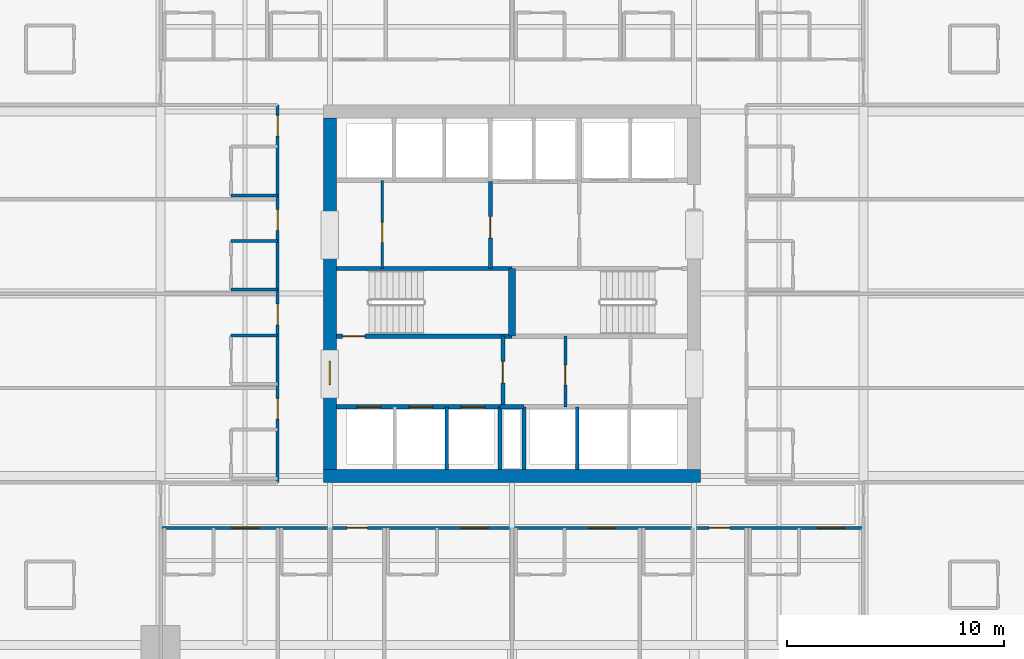
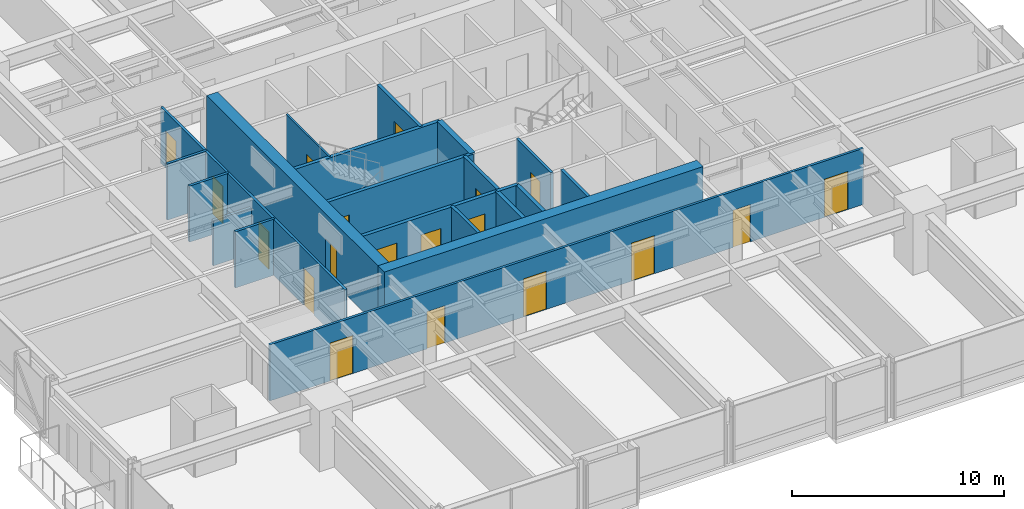
# One storey, part 31 of 39: 21 walls, 19 doors, 19 openings.
"""IFC4 building model written with IfcOpenShell, lengths in metres."""

from ifc_helpers import new_model, si_unit, direction, frame, frame_2d, origin, place, context, subcontext, project, spatial, rectangle, extrude, material, layer, layer_set, type_object, element, fill, save


model = new_model("IFC4")

# Units and contexts
model_context = context("Model", 3, precision=1e-05, world=origin(), true_north=direction((0.0, 1.0)))
body_context = subcontext(model_context, "Body", "Model", "MODEL_VIEW")
ifc_project = project(units=[si_unit("LENGTHUNIT", "METRE"), si_unit("AREAUNIT", "SQUARE_METRE"), si_unit("VOLUMEUNIT", "CUBIC_METRE"), si_unit("PLANEANGLEUNIT", "RADIAN"), si_unit("MASSUNIT", "GRAM", prefix="KILO")], contexts=[model_context])

# Site, building, storey
site_placement = place(None, origin())
site = spatial("IfcSite", under=ifc_project, at=site_placement, CompositionType="ELEMENT")
building_placement = place(site_placement, origin())
building = spatial("IfcBuilding", under=site, at=building_placement, Name="Drelvath Grand Hotel", CompositionType="ELEMENT")
storey_placement = place(building_placement, frame((0.0, 0.0, 40.199951171875)))
storey = spatial("IfcBuildingStorey", under=building, at=storey_placement, Name="L08", CompositionType="ELEMENT", Elevation=40.199951171875)

# Wall, opening, door
ifc_material_1 = material(Name="Gypsum Partition Board")
ifc_layer_1 = layer(ifc_material_1, 0.10009765625)
ifc_layer_set_1 = layer_set([ifc_layer_1], Name="Gypsum Partition Board")
wall_type_1 = type_object("IfcWallType", Name="Core Closet Partition 100", PredefinedType="PARTITIONING", material=ifc_layer_set_1)
wall_1_placement = place(storey_placement, frame((-5.97998046875, 28.159912109375, 0.0), z_axis=(0.0, 0.0, 1.0), x_axis=(0.0, 1.0, 0.0)))
wall_1 = element("IfcWall", 1, at=wall_1_placement, inside=storey, type_object=wall_type_1, Name="L08 Core Closet Divider 2", PredefinedType="PARTITIONING", context=body_context, shape_type="SweptSolid", body=[
    extrude(rectangle(XDim=4.06005859375, YDim=0.10009765625, at=frame_2d((2.030029296875, 0.0))), origin(), (0.0, 0.0, 1.0), 3.239990234375),
])
opening_1_placement = place(wall_1_placement, frame((1.199951171875, 0.0, 0.0)))
opening_1 = element("IfcOpeningElement", 2, at=opening_1_placement, cuts=wall_1, Name="Opening D-T1G1-010", PredefinedType="OPENING", context=body_context, shape_type="SweptSolid", body=[
    extrude(rectangle(XDim=0.919921875, YDim=2.10009765625, at=frame_2d((0.4599609375, 1.050048828125))), frame((0.0, 0.06005859375, 0.0), z_axis=(0.0, -1.0, 0.0), x_axis=(1.0, 0.0, 0.0)), (0.0, 0.0, 1.0), 0.1201171875),
])
ifc_material_2 = material(Name="Painted Steel S275", Category="steel")
door_type_1 = type_object("IfcDoorType", Name="Staff Utility Door 920x2100", OperationType="NOTDEFINED", PredefinedType="DOOR", material=ifc_material_2)
door_1_placement = place(opening_1_placement, origin())
door_1 = element("IfcDoor", 3, at=door_1_placement, inside=storey, type_object=door_type_1, Name="L08 Low-Voltage Closet Door", OperationType="SINGLE_SWING_RIGHT", OverallHeight=2.10009765625, OverallWidth=0.919921875, PredefinedType="DOOR", context=body_context, shape_type="SweptSolid", body=[
    extrude(rectangle(XDim=0.919921875, YDim=2.10009765625, at=frame_2d((0.4599609375, 1.050048828125))), frame((0.0, 0.02490234375, 0.0), z_axis=(0.0, -1.0, 0.0), x_axis=(1.0, 0.0, 0.0)), (0.0, 0.0, 1.0), 0.050048828125),
])
fill(opening_1, door_1)

# Wall, openings, doors
ifc_material_3 = material(Name="Concrete C40/50", Category="concrete")
ifc_layer_2 = layer(ifc_material_3, 0.199951171875)
ifc_layer_set_2 = layer_set([ifc_layer_2], Name="Concrete C40/50")
wall_type_2 = type_object("IfcWallType", Name="Core Hoistway Fire Wall 200", PredefinedType="SOLIDWALL", material=ifc_layer_set_2)
wall_2_placement = place(storey_placement, frame((-0.550048828125, 21.780029296875, 0.0), z_axis=(0.0, 0.0, 1.0), x_axis=(-1.0, 0.0, 0.0)))
wall_2 = element("IfcWall", 4, at=wall_2_placement, inside=storey, type_object=wall_type_2, Name="L08 Bank 1 Hoistway Wall", PredefinedType="SOLIDWALL", context=body_context, shape_type="SweptSolid", body=[
    extrude(rectangle(XDim=7.550048828125, YDim=0.199951171875, at=frame_2d((3.77490234375, 0.0))), origin(), (0.0, 0.0, 1.0), 3.239990234375),
])
opening_2_placement = place(wall_2_placement, frame((5.5, 0.0, 0.0)))
opening_2 = element("IfcOpeningElement", 5, at=opening_2_placement, cuts=wall_2, Name="Opening LD-PE-1", PredefinedType="OPENING", context=body_context, shape_type="SweptSolid", body=[
    extrude(rectangle(XDim=1.10009765625, YDim=2.199951171875, at=frame_2d((0.550048828125, 1.10009765625))), frame((0.0, 0.10986328125, 0.0), z_axis=(0.0, -1.0, 0.0), x_axis=(1.0, 0.0, 0.0)), (0.0, 0.0, 1.0), 0.219970703125),
])
opening_3_placement = place(wall_2_placement, frame((3.10009765625, 0.0, 0.0)))
opening_3 = element("IfcOpeningElement", 6, at=opening_3_placement, cuts=wall_2, Name="Opening LD-PE-2", PredefinedType="OPENING", context=body_context, shape_type="SweptSolid", body=[
    extrude(rectangle(XDim=1.10009765625, YDim=2.199951171875, at=frame_2d((0.550048828125, 1.10009765625))), frame((0.0, 0.10986328125, 0.0), z_axis=(0.0, -1.0, 0.0), x_axis=(1.0, 0.0, 0.0)), (0.0, 0.0, 1.0), 0.219970703125),
])
opening_4_placement = place(wall_2_placement, frame((0.699951171875, 0.0, 0.0)))
opening_4 = element("IfcOpeningElement", 7, at=opening_4_placement, cuts=wall_2, Name="Opening LD-PE-3", PredefinedType="OPENING", context=body_context, shape_type="SweptSolid", body=[
    extrude(rectangle(XDim=1.10009765625, YDim=2.199951171875, at=frame_2d((0.550048828125, 1.10009765625))), frame((0.0, 0.10986328125, 0.0), z_axis=(0.0, -1.0, 0.0), x_axis=(1.0, 0.0, 0.0)), (0.0, 0.0, 1.0), 0.219970703125),
])
ifc_material_4 = material(Name="Stainless Steel S355", Category="steel")
door_type_2 = type_object("IfcDoorType", Name="Passenger Lift Sliding Landing Door 1100x2200", OperationType="NOTDEFINED", PredefinedType="DOOR", material=ifc_material_4)
door_2_placement = place(opening_2_placement, origin())
door_2 = element("IfcDoor", 8, at=door_2_placement, inside=storey, type_object=door_type_2, Name="L08 Lift PE-1 Landing Door", OperationType="SLIDING_TO_LEFT", OverallHeight=2.199951171875, OverallWidth=1.10009765625, PredefinedType="DOOR", context=body_context, shape_type="SweptSolid", body=[
    extrude(rectangle(XDim=1.10009765625, YDim=2.199951171875, at=frame_2d((0.550048828125, 1.10009765625))), frame((0.0, 0.02490234375, 0.0), z_axis=(0.0, -1.0, 0.0), x_axis=(1.0, 0.0, 0.0)), (0.0, 0.0, 1.0), 0.050048828125),
])
fill(opening_2, door_2)
door_3_placement = place(opening_3_placement, origin())
door_3 = element("IfcDoor", 9, at=door_3_placement, inside=storey, type_object=door_type_2, Name="L08 Lift PE-2 Landing Door", OperationType="SLIDING_TO_LEFT", OverallHeight=2.199951171875, OverallWidth=1.10009765625, PredefinedType="DOOR", context=body_context, shape_type="SweptSolid", body=[
    extrude(rectangle(XDim=1.10009765625, YDim=2.199951171875, at=frame_2d((0.550048828125, 1.10009765625))), frame((0.0, 0.02490234375, 0.0), z_axis=(0.0, -1.0, 0.0), x_axis=(1.0, 0.0, 0.0)), (0.0, 0.0, 1.0), 0.050048828125),
])
fill(opening_3, door_3)
door_4_placement = place(opening_4_placement, origin())
door_4 = element("IfcDoor", 10, at=door_4_placement, inside=storey, type_object=door_type_2, Name="L08 Lift PE-3 Landing Door", OperationType="SLIDING_TO_LEFT", OverallHeight=2.199951171875, OverallWidth=1.10009765625, PredefinedType="DOOR", context=body_context, shape_type="SweptSolid", body=[
    extrude(rectangle(XDim=1.10009765625, YDim=2.199951171875, at=frame_2d((0.550048828125, 1.10009765625))), frame((0.0, 0.02490234375, 0.0), z_axis=(0.0, -1.0, 0.0), x_axis=(1.0, 0.0, 0.0)), (0.0, 0.0, 1.0), 0.050048828125),
])
fill(opening_4, door_4)

# Walls
for number, where, z_axis, x_axis, name in (
    (11, (-0.550048828125, 18.89990234375, 0.0), (0.0, 0.0, 1.0), (0.0, 1.0, 0.0), "L08 Bank 1 East Wall"),
    (12, (0.550048828125, 18.89990234375, 0.0), (0.0, 0.0, 1.0), (0.0, 1.0, 0.0), "L08 Bank 2 West Wall"),
):
    element("IfcWall", number, at=place(storey_placement, frame(where, z_axis=z_axis, x_axis=x_axis)), inside=storey, type_object=wall_type_2, Name=name, PredefinedType="SOLIDWALL", context=body_context, shape_type="SweptSolid", body=[
        extrude(rectangle(XDim=2.880126953125, YDim=0.199951171875, at=frame_2d((1.43994140625, 0.0))), origin(), (0.0, 0.0, 1.0), 3.239990234375),
    ])
wall_3_placement = place(storey_placement, frame((-0.550048828125, 21.780029296875, 0.0), z_axis=(0.0, 0.0, 1.0), x_axis=(1.0, 0.0, 0.0)))
element("IfcWall", 13, at=wall_3_placement, inside=storey, type_object=wall_type_2, Name="L08 Core Riser Wall", PredefinedType="SOLIDWALL", context=body_context, shape_type="SweptSolid", body=[
    extrude(rectangle(XDim=1.10009765625, YDim=0.199951171875, at=frame_2d((0.550048828125, 0.0))), origin(), (0.0, 0.0, 1.0), 3.239990234375),
])

# Wall, opening, door
ifc_layer_3 = layer(ifc_material_3, 0.199951171875)
ifc_layer_set_3 = layer_set([ifc_layer_3], Name="Concrete C40/50")
wall_type_3 = type_object("IfcWallType", Name="Core Shaft Fire Wall 200", PredefinedType="SOLIDWALL", material=ifc_layer_set_3)
wall_4_placement = place(storey_placement, frame((-8.10009765625, 25.0400390625, 0.0), z_axis=(0.0, 0.0, 1.0), x_axis=(1.0, 0.0, 0.0)))
wall_4 = element("IfcWall", 14, at=wall_4_placement, inside=storey, type_object=wall_type_3, Name="L08 Stair ST-1 South Wall", PredefinedType="SOLIDWALL", context=body_context, shape_type="SweptSolid", body=[
    extrude(rectangle(XDim=8.10009765625, YDim=0.199951171875, at=frame_2d((4.050048828125, 0.0))), origin(), (0.0, 0.0, 1.0), 3.239990234375),
])
opening_5_placement = place(wall_4_placement, frame((0.280029296875, 0.0, 0.0)))
opening_5 = element("IfcOpeningElement", 15, at=opening_5_placement, cuts=wall_4, Name="Opening D-T1G1-001", PredefinedType="OPENING", context=body_context, shape_type="SweptSolid", body=[
    extrude(rectangle(XDim=1.050048828125, YDim=2.10009765625, at=frame_2d((0.52490234375, 1.050048828125))), frame((0.0, 0.10986328125, 0.0), z_axis=(0.0, -1.0, 0.0), x_axis=(1.0, 0.0, 0.0)), (0.0, 0.0, 1.0), 0.219970703125),
])
door_type_3 = type_object("IfcDoorType", Name="Tower Stairwell Fire Door 1050x2100", OperationType="NOTDEFINED", PredefinedType="DOOR", material=ifc_material_2)
door_5_placement = place(opening_5_placement, origin())
door_5 = element("IfcDoor", 16, at=door_5_placement, inside=storey, type_object=door_type_3, Name="L08 Exit Stair ST-1 Door", OperationType="SINGLE_SWING_LEFT", OverallHeight=2.10009765625, OverallWidth=1.050048828125, PredefinedType="DOOR", context=body_context, shape_type="SweptSolid", body=[
    extrude(rectangle(XDim=1.050048828125, YDim=2.10009765625, at=frame_2d((0.52490234375, 1.050048828125))), frame((0.0, 0.02490234375, 0.0), z_axis=(0.0, -1.0, 0.0), x_axis=(1.0, 0.0, 0.0)), (0.0, 0.0, 1.0), 0.050048828125),
])
fill(opening_5, door_5)

# Walls
wall_5_placement = place(storey_placement, frame((-8.10009765625, 28.159912109375, 0.0), z_axis=(0.0, 0.0, 1.0), x_axis=(1.0, 0.0, 0.0)))
element("IfcWall", 17, at=wall_5_placement, inside=storey, type_object=wall_type_3, Name="L08 Stair ST-1 North Wall", PredefinedType="SOLIDWALL", context=body_context, shape_type="SweptSolid", body=[
    extrude(rectangle(XDim=8.10009765625, YDim=0.199951171875, at=frame_2d((4.050048828125, 0.0))), origin(), (0.0, 0.0, 1.0), 3.239990234375),
])
ifc_layer_4 = layer(ifc_material_3, 0.300048828125)
ifc_layer_set_4 = layer_set([ifc_layer_4], Name="Concrete C40/50")
wall_type_4 = type_object("IfcWallType", Name="Core Shaft Fire Wall 300", PredefinedType="SOLIDWALL", material=ifc_layer_set_4)
wall_6_placement = place(storey_placement, frame((0.0, 25.0400390625, 0.0), z_axis=(0.0, 0.0, 1.0), x_axis=(0.0, 1.0, 0.0)))
element("IfcWall", 18, at=wall_6_placement, inside=storey, type_object=wall_type_4, Name="L08 Core Stair Divider Wall", PredefinedType="SOLIDWALL", context=body_context, shape_type="SweptSolid", body=[
    extrude(rectangle(XDim=3.119873046875, YDim=0.300048828125, at=frame_2d((1.56005859375, 0.0))), origin(), (0.0, 0.0, 1.0), 3.239990234375),
])
ifc_material_5 = material(Name="Gypsum Fireboard Partition")
ifc_layer_5 = layer(ifc_material_5, 0.1650390625)
ifc_layer_set_5 = layer_set([ifc_layer_5], Name="Gypsum Fireboard Partition")
wall_type_5 = type_object("IfcWallType", Name="Core Shaft Partition 165", PredefinedType="PARTITIONING", material=ifc_layer_set_5)
for number, where, z_axis, x_axis, name in (
    (19, (-3.0, 18.89990234375, 0.0), (0.0, 0.0, 1.0), (0.0, 1.0, 0.0), "L08 Lift PE-2/3 Divider"),
    (20, (3.0, 18.89990234375, 0.0), (0.0, 0.0, 1.0), (0.0, 1.0, 0.0), "L08 Lift PE-4/5 Divider"),
):
    element("IfcWall", number, at=place(storey_placement, frame(where, z_axis=z_axis, x_axis=x_axis)), inside=storey, type_object=wall_type_5, Name=name, PredefinedType="PARTITIONING", context=body_context, shape_type="SweptSolid", body=[
        extrude(rectangle(XDim=2.880126953125, YDim=0.1650390625, at=frame_2d((1.43994140625, 0.0))), origin(), (0.0, 0.0, 1.0), 3.239990234375),
    ])

# Wall, openings, doors
ifc_layer_6 = layer(ifc_material_5, 0.135009765625)
ifc_layer_set_6 = layer_set([ifc_layer_6], Name="Gypsum Fireboard Partition")
wall_type_6 = type_object("IfcWallType", Name="Corridor Fire Barrier Wall 135", PredefinedType="PARTITIONING", material=ifc_layer_set_6)
wall_7_placement = place(storey_placement, frame((-16.199951171875, 16.199951171875, 0.0), z_axis=(0.0, 0.0, 1.0), x_axis=(1.0, 0.0, 0.0)))
wall_7 = element("IfcWall", 21, at=wall_7_placement, inside=storey, type_object=wall_type_6, Name="L08 South Corridor Wall", PredefinedType="PARTITIONING", context=body_context, shape_type="SweptSolid", body=[
    extrude(rectangle(XDim=32.39990234375, YDim=0.135009765625, at=frame_2d((16.199951171875, 0.0))), origin(), (0.0, 0.0, 1.0), 3.239990234375),
])
opening_6_placement = place(wall_7_placement, frame((3.284912109375, 0.0, 0.0)))
opening_6 = element("IfcOpeningElement", 22, at=opening_6_placement, cuts=wall_7, Name="Opening D-T1G1-027", PredefinedType="OPENING", context=body_context, shape_type="SweptSolid", body=[
    extrude(rectangle(XDim=1.260009765625, YDim=2.199951171875, at=frame_2d((0.6298828125, 1.10009765625))), frame((0.0, 0.077392578125, 0.0), z_axis=(0.0, -1.0, 0.0), x_axis=(1.0, 0.0, 0.0)), (0.0, 0.0, 1.0), 0.155029296875),
])
opening_7_placement = place(wall_7_placement, frame((8.589599609375, 0.0, 0.0)))
opening_7 = element("IfcOpeningElement", 23, at=opening_7_placement, cuts=wall_7, Name="Opening D-T1G1-029", PredefinedType="OPENING", context=body_context, shape_type="SweptSolid", body=[
    extrude(rectangle(XDim=0.9599609375, YDim=2.14990234375, at=frame_2d((0.47998046875, 1.074951171875))), frame((0.0, 0.077392578125, 0.0), z_axis=(0.0, -1.0, 0.0), x_axis=(1.0, 0.0, 0.0)), (0.0, 0.0, 1.0), 0.155029296875),
])
opening_8_placement = place(wall_7_placement, frame((13.839599609375, 0.0, 0.0)))
opening_8 = element("IfcOpeningElement", 24, at=opening_8_placement, cuts=wall_7, Name="Opening D-T1G1-031", PredefinedType="OPENING", context=body_context, shape_type="SweptSolid", body=[
    extrude(rectangle(XDim=1.260009765625, YDim=2.199951171875, at=frame_2d((0.6298828125, 1.10009765625))), frame((0.0, 0.077392578125, 0.0), z_axis=(0.0, -1.0, 0.0), x_axis=(1.0, 0.0, 0.0)), (0.0, 0.0, 1.0), 0.155029296875),
])
opening_9_placement = place(wall_7_placement, frame((19.73046875, 0.0, 0.0)))
opening_9 = element("IfcOpeningElement", 25, at=opening_9_placement, cuts=wall_7, Name="Opening D-T1G1-033", PredefinedType="OPENING", context=body_context, shape_type="SweptSolid", body=[
    extrude(rectangle(XDim=1.260009765625, YDim=2.199951171875, at=frame_2d((0.6298828125, 1.10009765625))), frame((0.0, 0.077392578125, 0.0), z_axis=(0.0, -1.0, 0.0), x_axis=(1.0, 0.0, 0.0)), (0.0, 0.0, 1.0), 0.155029296875),
])
opening_10_placement = place(wall_7_placement, frame((25.280517578125, 0.0, 0.0)))
opening_10 = element("IfcOpeningElement", 26, at=opening_10_placement, cuts=wall_7, Name="Opening D-T1G1-035", PredefinedType="OPENING", context=body_context, shape_type="SweptSolid", body=[
    extrude(rectangle(XDim=0.9599609375, YDim=2.14990234375, at=frame_2d((0.47998046875, 1.074951171875))), frame((0.0, 0.077392578125, 0.0), z_axis=(0.0, -1.0, 0.0), x_axis=(1.0, 0.0, 0.0)), (0.0, 0.0, 1.0), 0.155029296875),
])
opening_11_placement = place(wall_7_placement, frame((30.284912109375, 0.0, 0.0)))
opening_11 = element("IfcOpeningElement", 27, at=opening_11_placement, cuts=wall_7, Name="Opening D-T1G1-037", PredefinedType="OPENING", context=body_context, shape_type="SweptSolid", body=[
    extrude(rectangle(XDim=1.260009765625, YDim=2.199951171875, at=frame_2d((0.6298828125, 1.10009765625))), frame((0.0, 0.077392578125, 0.0), z_axis=(0.0, -1.0, 0.0), x_axis=(1.0, 0.0, 0.0)), (0.0, 0.0, 1.0), 0.155029296875),
])
ifc_material_6 = material(Name="Hardwood Walnut Timber", Category="wood")
door_type_4 = type_object("IfcDoorType", Name="Guestroom Entrance Fire Door 960x2150", OperationType="NOTDEFINED", PredefinedType="DOOR", material=ifc_material_6)
door_6_placement = place(opening_7_placement, origin())
door_6 = element("IfcDoor", 28, at=door_6_placement, inside=storey, type_object=door_type_4, Name="L08 King Guest Room Entry Door", OperationType="SINGLE_SWING_RIGHT", OverallHeight=2.14990234375, OverallWidth=0.9599609375, PredefinedType="DOOR", context=body_context, shape_type="SweptSolid", body=[
    extrude(rectangle(XDim=0.9599609375, YDim=2.14990234375, at=frame_2d((0.47998046875, 1.074951171875))), frame((0.0, 0.02490234375, 0.0), z_axis=(0.0, -1.0, 0.0), x_axis=(1.0, 0.0, 0.0)), (0.0, 0.0, 1.0), 0.050048828125),
])
fill(opening_7, door_6)
door_7_placement = place(opening_10_placement, origin())
door_7 = element("IfcDoor", 29, at=door_7_placement, inside=storey, type_object=door_type_4, Name="L08 King Guest Room Entry Door", OperationType="SINGLE_SWING_RIGHT", OverallHeight=2.14990234375, OverallWidth=0.9599609375, PredefinedType="DOOR", context=body_context, shape_type="SweptSolid", body=[
    extrude(rectangle(XDim=0.9599609375, YDim=2.14990234375, at=frame_2d((0.47998046875, 1.074951171875))), frame((0.0, 0.02490234375, 0.0), z_axis=(0.0, -1.0, 0.0), x_axis=(1.0, 0.0, 0.0)), (0.0, 0.0, 1.0), 0.050048828125),
])
fill(opening_10, door_7)
door_type_5 = type_object("IfcDoorType", Name="Suite Entrance Fire Door 1260x2200", OperationType="NOTDEFINED", PredefinedType="DOOR", material=ifc_material_6)
door_8_placement = place(opening_6_placement, origin())
door_8 = element("IfcDoor", 30, at=door_8_placement, inside=storey, type_object=door_type_5, Name="L08 Corner Suite Entry Door", OperationType="SINGLE_SWING_RIGHT", OverallHeight=2.199951171875, OverallWidth=1.260009765625, PredefinedType="DOOR", context=body_context, shape_type="SweptSolid", body=[
    extrude(rectangle(XDim=1.260009765625, YDim=2.199951171875, at=frame_2d((0.6298828125, 1.10009765625))), frame((0.0, 0.02490234375, 0.0), z_axis=(0.0, -1.0, 0.0), x_axis=(1.0, 0.0, 0.0)), (0.0, 0.0, 1.0), 0.050048828125),
])
fill(opening_6, door_8)
door_9_placement = place(opening_8_placement, origin())
door_9 = element("IfcDoor", 31, at=door_9_placement, inside=storey, type_object=door_type_5, Name="L08 Corner Suite Entry Door", OperationType="SINGLE_SWING_RIGHT", OverallHeight=2.199951171875, OverallWidth=1.260009765625, PredefinedType="DOOR", context=body_context, shape_type="SweptSolid", body=[
    extrude(rectangle(XDim=1.260009765625, YDim=2.199951171875, at=frame_2d((0.6298828125, 1.10009765625))), frame((0.0, 0.02490234375, 0.0), z_axis=(0.0, -1.0, 0.0), x_axis=(1.0, 0.0, 0.0)), (0.0, 0.0, 1.0), 0.050048828125),
])
fill(opening_8, door_9)
door_10_placement = place(opening_9_placement, origin())
door_10 = element("IfcDoor", 32, at=door_10_placement, inside=storey, type_object=door_type_5, Name="L08 Corner Suite Entry Door", OperationType="SINGLE_SWING_RIGHT", OverallHeight=2.199951171875, OverallWidth=1.260009765625, PredefinedType="DOOR", context=body_context, shape_type="SweptSolid", body=[
    extrude(rectangle(XDim=1.260009765625, YDim=2.199951171875, at=frame_2d((0.6298828125, 1.10009765625))), frame((0.0, 0.02490234375, 0.0), z_axis=(0.0, -1.0, 0.0), x_axis=(1.0, 0.0, 0.0)), (0.0, 0.0, 1.0), 0.050048828125),
])
fill(opening_9, door_10)
door_11_placement = place(opening_11_placement, origin())
door_11 = element("IfcDoor", 33, at=door_11_placement, inside=storey, type_object=door_type_5, Name="L08 Corner Suite Entry Door", OperationType="SINGLE_SWING_RIGHT", OverallHeight=2.199951171875, OverallWidth=1.260009765625, PredefinedType="DOOR", context=body_context, shape_type="SweptSolid", body=[
    extrude(rectangle(XDim=1.260009765625, YDim=2.199951171875, at=frame_2d((0.6298828125, 1.10009765625))), frame((0.0, 0.02490234375, 0.0), z_axis=(0.0, -1.0, 0.0), x_axis=(1.0, 0.0, 0.0)), (0.0, 0.0, 1.0), 0.050048828125),
])
fill(opening_11, door_11)

wall_8_placement = place(storey_placement, frame((-10.800048828125, 18.300048828125, 0.0), z_axis=(0.0, 0.0, 1.0), x_axis=(0.0, 1.0, 0.0)))
wall_8 = element("IfcWall", 34, at=wall_8_placement, inside=storey, type_object=wall_type_6, Name="L08 West Corridor Wall", PredefinedType="PARTITIONING", context=body_context, shape_type="SweptSolid", body=[
    extrude(rectangle(XDim=17.39990234375, YDim=0.135009765625, at=frame_2d((8.699951171875, 0.0))), origin(), (0.0, 0.0, 1.0), 3.239990234375),
])
opening_12_placement = place(wall_8_placement, frame((2.909912109375, 0.0, 0.0)))
opening_12 = element("IfcOpeningElement", 35, at=opening_12_placement, cuts=wall_8, Name="Opening D-T1G1-050", PredefinedType="OPENING", context=body_context, shape_type="SweptSolid", body=[
    extrude(rectangle(XDim=0.9599609375, YDim=2.14990234375, at=frame_2d((0.47998046875, 1.074951171875))), frame((0.0, 0.077392578125, 0.0), z_axis=(0.0, -1.0, 0.0), x_axis=(1.0, 0.0, 0.0)), (0.0, 0.0, 1.0), 0.155029296875),
])
opening_13_placement = place(wall_8_placement, frame((7.260009765625, 0.0, 0.0)))
opening_13 = element("IfcOpeningElement", 36, at=opening_13_placement, cuts=wall_8, Name="Opening D-T1G1-052", PredefinedType="OPENING", context=body_context, shape_type="SweptSolid", body=[
    extrude(rectangle(XDim=0.9599609375, YDim=2.14990234375, at=frame_2d((0.47998046875, 1.074951171875))), frame((0.0, 0.077392578125, 0.0), z_axis=(0.0, -1.0, 0.0), x_axis=(1.0, 0.0, 0.0)), (0.0, 0.0, 1.0), 0.155029296875),
])
opening_14_placement = place(wall_8_placement, frame((11.610107421875, 0.0, 0.0)))
opening_14 = element("IfcOpeningElement", 37, at=opening_14_placement, cuts=wall_8, Name="Opening D-T1G1-054", PredefinedType="OPENING", context=body_context, shape_type="SweptSolid", body=[
    extrude(rectangle(XDim=0.9599609375, YDim=2.14990234375, at=frame_2d((0.47998046875, 1.074951171875))), frame((0.0, 0.077392578125, 0.0), z_axis=(0.0, -1.0, 0.0), x_axis=(1.0, 0.0, 0.0)), (0.0, 0.0, 1.0), 0.155029296875),
])
opening_15_placement = place(wall_8_placement, frame((15.9599609375, 0.0, 0.0)))
opening_15 = element("IfcOpeningElement", 38, at=opening_15_placement, cuts=wall_8, Name="Opening D-T1G1-056", PredefinedType="OPENING", context=body_context, shape_type="SweptSolid", body=[
    extrude(rectangle(XDim=0.9599609375, YDim=2.14990234375, at=frame_2d((0.47998046875, 1.074951171875))), frame((0.0, 0.077392578125, 0.0), z_axis=(0.0, -1.0, 0.0), x_axis=(1.0, 0.0, 0.0)), (0.0, 0.0, 1.0), 0.155029296875),
])
door_12_placement = place(opening_12_placement, origin())
door_12 = element("IfcDoor", 39, at=door_12_placement, inside=storey, type_object=door_type_4, Name="L08 King Guest Room Entry Door", OperationType="SINGLE_SWING_LEFT", OverallHeight=2.14990234375, OverallWidth=0.9599609375, PredefinedType="DOOR", context=body_context, shape_type="SweptSolid", body=[
    extrude(rectangle(XDim=0.9599609375, YDim=2.14990234375, at=frame_2d((0.47998046875, 1.074951171875))), frame((0.0, 0.02490234375, 0.0), z_axis=(0.0, -1.0, 0.0), x_axis=(1.0, 0.0, 0.0)), (0.0, 0.0, 1.0), 0.050048828125),
])
fill(opening_12, door_12)
door_13_placement = place(opening_13_placement, origin())
door_13 = element("IfcDoor", 40, at=door_13_placement, inside=storey, type_object=door_type_4, Name="L08 King Guest Room Entry Door", OperationType="SINGLE_SWING_LEFT", OverallHeight=2.14990234375, OverallWidth=0.9599609375, PredefinedType="DOOR", context=body_context, shape_type="SweptSolid", body=[
    extrude(rectangle(XDim=0.9599609375, YDim=2.14990234375, at=frame_2d((0.47998046875, 1.074951171875))), frame((0.0, 0.02490234375, 0.0), z_axis=(0.0, -1.0, 0.0), x_axis=(1.0, 0.0, 0.0)), (0.0, 0.0, 1.0), 0.050048828125),
])
fill(opening_13, door_13)
door_14_placement = place(opening_14_placement, origin())
door_14 = element("IfcDoor", 41, at=door_14_placement, inside=storey, type_object=door_type_4, Name="L08 King Guest Room Entry Door", OperationType="SINGLE_SWING_LEFT", OverallHeight=2.14990234375, OverallWidth=0.9599609375, PredefinedType="DOOR", context=body_context, shape_type="SweptSolid", body=[
    extrude(rectangle(XDim=0.9599609375, YDim=2.14990234375, at=frame_2d((0.47998046875, 1.074951171875))), frame((0.0, 0.02490234375, 0.0), z_axis=(0.0, -1.0, 0.0), x_axis=(1.0, 0.0, 0.0)), (0.0, 0.0, 1.0), 0.050048828125),
])
fill(opening_14, door_14)
door_15_placement = place(opening_15_placement, origin())
door_15 = element("IfcDoor", 42, at=door_15_placement, inside=storey, type_object=door_type_4, Name="L08 King Guest Room Entry Door", OperationType="SINGLE_SWING_LEFT", OverallHeight=2.14990234375, OverallWidth=0.9599609375, PredefinedType="DOOR", context=body_context, shape_type="SweptSolid", body=[
    extrude(rectangle(XDim=0.9599609375, YDim=2.14990234375, at=frame_2d((0.47998046875, 1.074951171875))), frame((0.0, 0.02490234375, 0.0), z_axis=(0.0, -1.0, 0.0), x_axis=(1.0, 0.0, 0.0)), (0.0, 0.0, 1.0), 0.050048828125),
])
fill(opening_15, door_15)

# Wall, opening, door
ifc_material_7 = material(Name="Moisture-Resistant Gypsum Board")
ifc_layer_7 = layer(ifc_material_7, 0.139892578125)
ifc_layer_set_7 = layer_set([ifc_layer_7], Name="Moisture-Resistant Gypsum Board")
wall_type_7 = type_object("IfcWallType", Name="En-Suite Plumbing Wall 140", PredefinedType="PLUMBINGWALL", material=ifc_layer_set_7)
wall_9_placement = place(storey_placement, frame((2.4599609375, 21.780029296875, 0.0), z_axis=(0.0, 0.0, 1.0), x_axis=(0.0, 1.0, 0.0)))
wall_9 = element("IfcWall", 43, at=wall_9_placement, inside=storey, type_object=wall_type_7, Name="L08 Staff WC West Wall", PredefinedType="PLUMBINGWALL", context=body_context, shape_type="SweptSolid", body=[
    extrude(rectangle(XDim=3.260009765625, YDim=0.139892578125, at=frame_2d((1.6298828125, 0.0))), origin(), (0.0, 0.0, 1.0), 3.239990234375),
])
opening_16_placement = place(wall_9_placement, frame((1.0, 0.0, 0.0)))
opening_16 = element("IfcOpeningElement", 44, at=opening_16_placement, cuts=wall_9, Name="Opening D-T1G1-016", PredefinedType="OPENING", context=body_context, shape_type="SweptSolid", body=[
    extrude(rectangle(XDim=0.919921875, YDim=2.10009765625, at=frame_2d((0.4599609375, 1.050048828125))), frame((0.0, 0.079833984375, 0.0), z_axis=(0.0, -1.0, 0.0), x_axis=(1.0, 0.0, 0.0)), (0.0, 0.0, 1.0), 0.159912109375),
])
door_16_placement = place(opening_16_placement, origin())
door_16 = element("IfcDoor", 45, at=door_16_placement, inside=storey, type_object=door_type_1, Name="L08 Staff WC Door", OperationType="SINGLE_SWING_LEFT", OverallHeight=2.10009765625, OverallWidth=0.919921875, PredefinedType="DOOR", context=body_context, shape_type="SweptSolid", body=[
    extrude(rectangle(XDim=0.919921875, YDim=2.10009765625, at=frame_2d((0.4599609375, 1.050048828125))), frame((0.0, 0.02490234375, 0.0), z_axis=(0.0, -1.0, 0.0), x_axis=(1.0, 0.0, 0.0)), (0.0, 0.0, 1.0), 0.050048828125),
])
fill(opening_16, door_16)

# Walls
wall_10_placement = place(storey_placement, frame((-10.800048828125, 25.080078125, 0.0), z_axis=(0.0, 0.0, 1.0), x_axis=(-1.0, 0.0, 0.0)))
element("IfcWall", 46, at=wall_10_placement, inside=storey, type_object=wall_type_7, Name="L08 En-Suite Right Wall", PredefinedType="PLUMBINGWALL", context=body_context, shape_type="SweptSolid", body=[
    extrude(rectangle(XDim=2.14990234375, YDim=0.139892578125, at=frame_2d((1.074951171875, 0.0))), origin(), (0.0, 0.0, 1.0), 3.239990234375),
])
wall_11_placement = place(storey_placement, frame((-10.800048828125, 27.179931640625, 0.0), z_axis=(0.0, 0.0, 1.0), x_axis=(-1.0, 0.0, 0.0)))
element("IfcWall", 47, at=wall_11_placement, inside=storey, type_object=wall_type_7, Name="L08 En-Suite Left Wall", PredefinedType="PLUMBINGWALL", context=body_context, shape_type="SweptSolid", body=[
    extrude(rectangle(XDim=2.14990234375, YDim=0.139892578125, at=frame_2d((1.074951171875, 0.0))), origin(), (0.0, 0.0, 1.0), 2.617431640625),
])
for number, where, z_axis, x_axis, name in (
    (48, (-10.800048828125, 29.429931640625, 0.0), (0.0, 0.0, 1.0), (-1.0, 0.0, 0.0), "L08 En-Suite Right Wall"),
    (49, (-10.800048828125, 31.530029296875, 0.0), (0.0, 0.0, 1.0), (-1.0, 0.0, 0.0), "L08 En-Suite Left Wall"),
):
    element("IfcWall", number, at=place(storey_placement, frame(where, z_axis=z_axis, x_axis=x_axis)), inside=storey, type_object=wall_type_7, Name=name, PredefinedType="PLUMBINGWALL", context=body_context, shape_type="SweptSolid", body=[
        extrude(rectangle(XDim=2.14990234375, YDim=0.139892578125, at=frame_2d((1.074951171875, 0.0))), origin(), (0.0, 0.0, 1.0), 3.239990234375),
    ])

# Wall, opening, door
ifc_layer_8 = layer(ifc_material_5, 0.179931640625)
ifc_layer_set_8 = layer_set([ifc_layer_8], Name="Gypsum Fireboard Partition")
wall_type_8 = type_object("IfcWallType", Name="FSAE Smoke Lobby Fire Wall 180", PredefinedType="SOLIDWALL", material=ifc_layer_set_8)
wall_12_placement = place(storey_placement, frame((-1.0, 28.159912109375, 0.0), z_axis=(0.0, 0.0, 1.0), x_axis=(0.0, 1.0, 0.0)))
wall_12 = element("IfcWall", 50, at=wall_12_placement, inside=storey, type_object=wall_type_8, Name="L08 Service Vestibule West Wall", PredefinedType="SOLIDWALL", context=body_context, shape_type="SweptSolid", body=[
    extrude(rectangle(XDim=4.02001953125, YDim=0.179931640625, at=frame_2d((2.010009765625, 0.0))), origin(), (0.0, 0.0, 1.0), 3.239990234375),
])
opening_17_placement = place(wall_12_placement, frame((1.39990234375, 0.0, 0.0)))
opening_17 = element("IfcOpeningElement", 51, at=opening_17_placement, cuts=wall_12, Name="Opening D-T1G1-009", PredefinedType="OPENING", context=body_context, shape_type="SweptSolid", body=[
    extrude(rectangle(XDim=1.0, YDim=2.10009765625, at=frame_2d((0.5, 1.050048828125))), frame((0.0, 0.099853515625, 0.0), z_axis=(0.0, -1.0, 0.0), x_axis=(1.0, 0.0, 0.0)), (0.0, 0.0, 1.0), 0.199951171875),
])
door_type_6 = type_object("IfcDoorType", Name="Core Service Fire Door 1000x2100", OperationType="NOTDEFINED", PredefinedType="DOOR", material=ifc_material_2)
door_17_placement = place(opening_17_placement, origin())
door_17 = element("IfcDoor", 52, at=door_17_placement, inside=storey, type_object=door_type_6, Name="L08 Service Vestibule West Door", OperationType="SINGLE_SWING_LEFT", OverallHeight=2.10009765625, OverallWidth=1.0, PredefinedType="DOOR", context=body_context, shape_type="SweptSolid", body=[
    extrude(rectangle(XDim=1.0, YDim=2.10009765625, at=frame_2d((0.5, 1.050048828125))), frame((0.0, 0.02490234375, 0.0), z_axis=(0.0, -1.0, 0.0), x_axis=(1.0, 0.0, 0.0)), (0.0, 0.0, 1.0), 0.050048828125),
])
fill(opening_17, door_17)

wall_13_placement = place(storey_placement, frame((-0.419921875, 21.780029296875, 0.0), z_axis=(0.0, 0.0, 1.0), x_axis=(0.0, 1.0, 0.0)))
wall_13 = element("IfcWall", 53, at=wall_13_placement, inside=storey, type_object=wall_type_8, Name="L08 Low-Rise Lobby East Wall", PredefinedType="SOLIDWALL", context=body_context, shape_type="SweptSolid", body=[
    extrude(rectangle(XDim=3.260009765625, YDim=0.179931640625, at=frame_2d((1.6298828125, 0.0))), origin(), (0.0, 0.0, 1.0), 3.239990234375),
])
opening_18_placement = place(wall_13_placement, frame((1.10009765625, 0.0, 0.0)))
opening_18 = element("IfcOpeningElement", 54, at=opening_18_placement, cuts=wall_13, Name="Opening D-T1G1-014", PredefinedType="OPENING", context=body_context, shape_type="SweptSolid", body=[
    extrude(rectangle(XDim=1.0, YDim=2.10009765625, at=frame_2d((0.5, 1.050048828125))), frame((0.0, 0.099853515625, 0.0), z_axis=(0.0, -1.0, 0.0), x_axis=(1.0, 0.0, 0.0)), (0.0, 0.0, 1.0), 0.199951171875),
])
door_18_placement = place(opening_18_placement, origin())
door_18 = element("IfcDoor", 55, at=door_18_placement, inside=storey, type_object=door_type_6, Name="L08 Housekeeping Entry Door", OperationType="SINGLE_SWING_LEFT", OverallHeight=2.10009765625, OverallWidth=1.0, PredefinedType="DOOR", context=body_context, shape_type="SweptSolid", body=[
    extrude(rectangle(XDim=1.0, YDim=2.10009765625, at=frame_2d((0.5, 1.050048828125))), frame((0.0, 0.02490234375, 0.0), z_axis=(0.0, -1.0, 0.0), x_axis=(1.0, 0.0, 0.0)), (0.0, 0.0, 1.0), 0.050048828125),
])
fill(opening_18, door_18)

# Wall
ifc_material_8 = material(Name="Concrete f'c 70 MPa", Category="concrete")
ifc_layer_9 = layer(ifc_material_8, 0.60009765625)
ifc_layer_set_9 = layer_set([ifc_layer_9], Name="Concrete f'c 70 MPa")
wall_type_9 = type_object("IfcWallType", Name="Lower Core RC Shear Wall 600", PredefinedType="SHEAR", material=ifc_layer_set_9)
wall_14_placement = place(storey_placement, frame((8.699951171875, 18.60009765625, 0.0), z_axis=(0.0, 0.0, 1.0), x_axis=(-1.0, 0.0, 0.0)))
element("IfcWall", 56, at=wall_14_placement, inside=storey, type_object=wall_type_9, Name="L08 Central Core Shear Wall S", PredefinedType="SHEAR", context=body_context, shape_type="SweptSolid", body=[
    extrude(rectangle(XDim=17.39990234375, YDim=0.60009765625, at=frame_2d((8.699951171875, 0.0))), origin(), (0.0, 0.0, 1.0), 3.5),
])

# Wall, opening, door
wall_15_placement = place(storey_placement, frame((-8.39990234375, 18.89990234375, 0.0), z_axis=(0.0, 0.0, 1.0), x_axis=(0.0, 1.0, 0.0)))
wall_15 = element("IfcWall", 57, at=wall_15_placement, inside=storey, type_object=wall_type_9, Name="L08 Central Core Shear Wall W", PredefinedType="SHEAR", context=body_context, shape_type="SweptSolid", body=[
    extrude(rectangle(XDim=16.2001953125, YDim=0.60009765625, at=frame_2d((8.10009765625, 0.0))), origin(), (0.0, 0.0, 1.0), 3.5),
])
opening_19_placement = place(wall_15_placement, frame((3.89990234375, 0.0, 0.0)))
opening_19 = element("IfcOpeningElement", 58, at=opening_19_placement, cuts=wall_15, Name="Opening D-T1G1-015", PredefinedType="OPENING", context=body_context, shape_type="SweptSolid", body=[
    extrude(rectangle(XDim=1.080078125, YDim=2.0400390625, at=frame_2d((0.5400390625, 1.02001953125))), frame((0.0, 0.31005859375, 0.0), z_axis=(0.0, -1.0, 0.0), x_axis=(1.0, 0.0, 0.0)), (0.0, 0.0, 1.0), 0.6201171875),
])
door_type_7 = type_object("IfcDoorType", Name="Core Corridor Fire Door 1080x2100", OperationType="NOTDEFINED", PredefinedType="DOOR", material=ifc_material_2)
door_19_placement = place(opening_19_placement, origin())
door_19 = element("IfcDoor", 59, at=door_19_placement, inside=storey, type_object=door_type_7, Name="L08 Low-Rise Lobby West Door", OperationType="SINGLE_SWING_RIGHT", OverallHeight=2.0400390625, OverallWidth=1.080078125, PredefinedType="DOOR", context=body_context, shape_type="SweptSolid", body=[
    extrude(rectangle(XDim=1.080078125, YDim=2.0400390625, at=frame_2d((0.5400390625, 1.02001953125))), frame((0.0, 0.02490234375, 0.0), z_axis=(0.0, -1.0, 0.0), x_axis=(1.0, 0.0, 0.0)), (0.0, 0.0, 1.0), 0.050048828125),
])
fill(opening_19, door_19)

save(model, "model.ifc")
